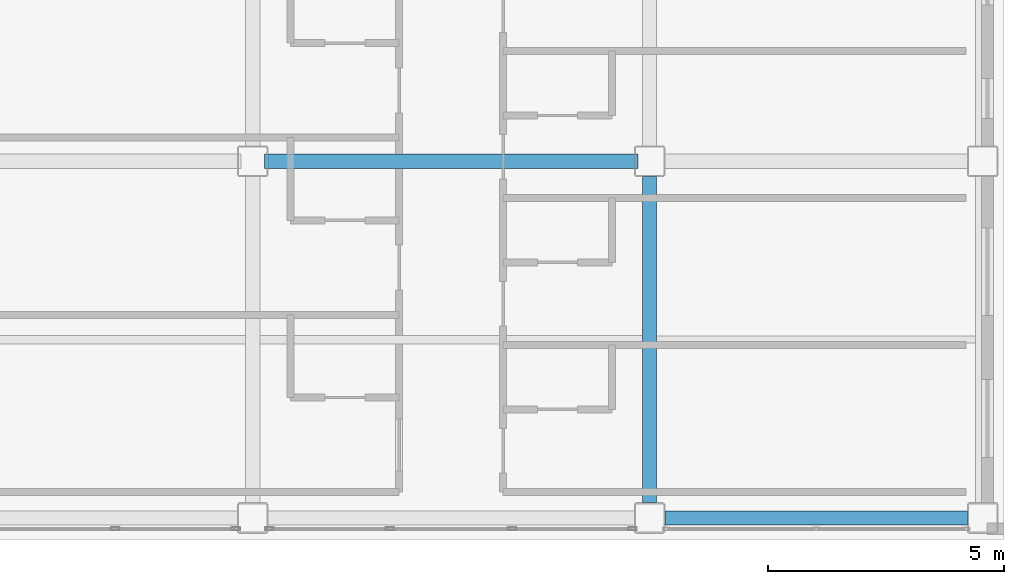
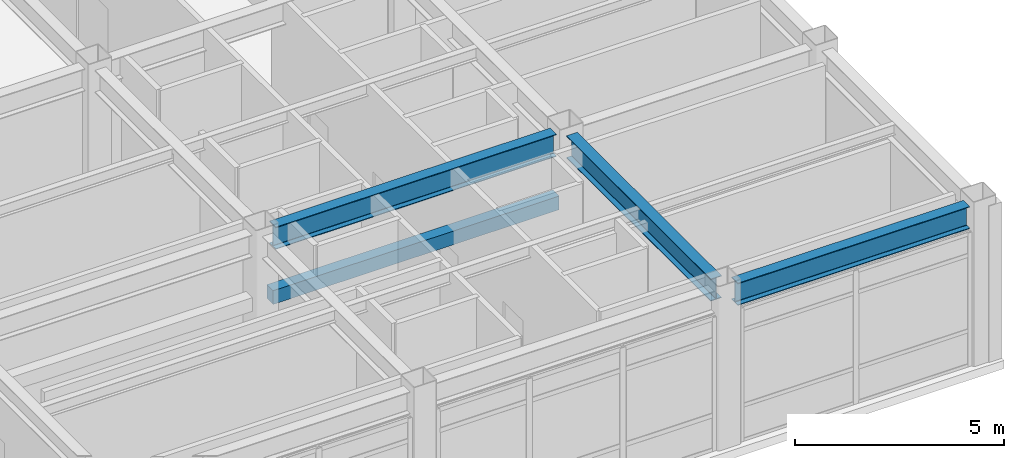
# One storey, part 20 of 61: 4 beams.
"""IFC4 building model written with IfcOpenShell, lengths in metres."""

from ifc_helpers import new_model, si_unit, direction, frame, origin, origin_2d, place, context, subcontext, project, spatial, rectangle, i_section, extrude, material, material_profile, profile_set, type_object, element, save


model = new_model("IFC4")

# Units and contexts
model_context = context("Model", 3, precision=1e-05, world=origin(), true_north=direction((0.0, 1.0)))
body_context = subcontext(model_context, "Body", "Model", "MODEL_VIEW")
ifc_project = project(units=[si_unit("LENGTHUNIT", "METRE"), si_unit("AREAUNIT", "SQUARE_METRE"), si_unit("VOLUMEUNIT", "CUBIC_METRE"), si_unit("PLANEANGLEUNIT", "RADIAN"), si_unit("MASSUNIT", "GRAM", prefix="KILO")], contexts=[model_context])

# Site, building, storey
site_placement = place(None, origin())
site = spatial("IfcSite", under=ifc_project, at=site_placement, CompositionType="ELEMENT")
building_placement = place(site_placement, origin())
building = spatial("IfcBuilding", under=site, at=building_placement, Name="Kazehara Bluff Congress Hotel", CompositionType="ELEMENT")
storey_placement = place(building_placement, frame((0.0, 0.0, 19.800048828125)))
storey = spatial("IfcBuildingStorey", under=building, at=storey_placement, Name="L04", CompositionType="ELEMENT", Elevation=19.800048828125)

# Beams
ifc_material_1 = material(Name="Steel SN490B", Category="steel")
ifc_material_profile_1 = material_profile(ifc_material_1, i_section(OverallWidth=0.300048828125, OverallDepth=0.64990234375, WebThickness=0.011962890625, FlangeThickness=0.02001953125, FilletRadius=0.012939453125, at=origin_2d()))
ifc_profile_set_1 = profile_set([ifc_material_profile_1], Name="Steel SN490B")
beam_type_1 = type_object("IfcBeamType", Name="TP-G-03", PredefinedType="BEAM", material=ifc_profile_set_1)
beam_1_placement = place(storey_placement, frame((160.5, 0.77490234375, 4.2548828125), z_axis=(0.0, 1.0, 0.0), x_axis=(-1.0, 0.0, 0.0)))
element("IfcBeam", 1, at=beam_1_placement, inside=storey, type_object=beam_type_1, Name="L04 girder G-03 56", PredefinedType="BEAM", context=body_context, shape_type="SweptSolid", body=[
    extrude(i_section(OverallWidth=0.300048828125, OverallDepth=0.64990234375, WebThickness=0.011962890625, FlangeThickness=0.02001953125, FilletRadius=0.012939453125, at=origin_2d()), origin(), (0.0, 0.0, 1.0), 6.900146484375),
])
beam_2_placement = place(storey_placement, frame((160.824951171875, 0.449951171875, 4.2548828125), z_axis=(1.0, 0.0, 0.0), x_axis=(0.0, 1.0, 0.0)))
element("IfcBeam", 2, at=beam_2_placement, inside=storey, type_object=beam_type_1, Name="L04 girder G-03 80", PredefinedType="BEAM", context=body_context, shape_type="SweptSolid", body=[
    extrude(i_section(OverallWidth=0.300048828125, OverallDepth=0.64990234375, WebThickness=0.011962890625, FlangeThickness=0.02001953125, FilletRadius=0.012939453125, at=origin_2d()), origin(), (0.0, 0.0, 1.0), 6.400146484375),
])
beam_3_placement = place(storey_placement, frame((152.425048828125, 8.0, 4.2548828125), z_axis=(1.0, 0.0, 0.0), x_axis=(0.0, 1.0, 0.0)))
element("IfcBeam", 3, at=beam_3_placement, inside=storey, type_object=beam_type_1, Name="L04 girder G-03 82", PredefinedType="BEAM", context=body_context, shape_type="SweptSolid", body=[
    extrude(i_section(OverallWidth=0.300048828125, OverallDepth=0.64990234375, WebThickness=0.011962890625, FlangeThickness=0.02001953125, FilletRadius=0.012939453125, at=origin_2d()), origin(), (0.0, 0.0, 1.0), 7.75),
])
ifc_material_2 = material(Name="Concrete C40/50", Category="concrete")
ifc_material_profile_2 = material_profile(ifc_material_2, rectangle(XDim=0.300048828125, YDim=0.39990234375, at=origin_2d()))
ifc_profile_set_2 = profile_set([ifc_material_profile_2], Name="Concrete C40/50")
beam_type_2 = type_object("IfcBeamType", Name="TP-LN-02", PredefinedType="LINTEL", material=ifc_profile_set_2)
beam_4_placement = place(storey_placement, frame((152.35009765625, 8.0, 2.550048828125), z_axis=(1.0, 0.0, 0.0), x_axis=(0.0, 1.0, 0.0)))
element("IfcBeam", 4, at=beam_4_placement, inside=storey, type_object=beam_type_2, Name="L04 corridor portal lintel 8", PredefinedType="LINTEL", context=body_context, shape_type="SweptSolid", body=[
    extrude(rectangle(XDim=0.300048828125, YDim=0.39990234375, at=origin_2d()), origin(), (0.0, 0.0, 1.0), 7.89990234375),
])

save(model, "model.ifc")
